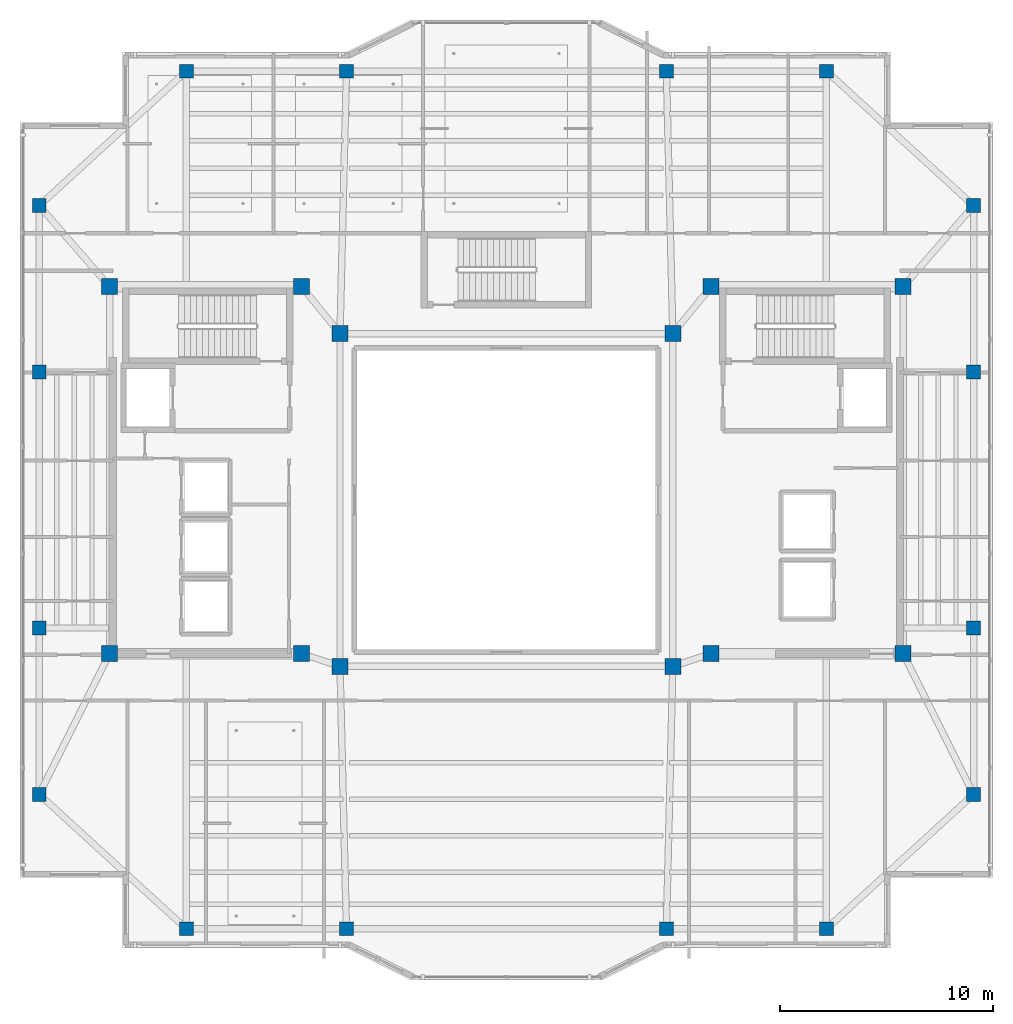
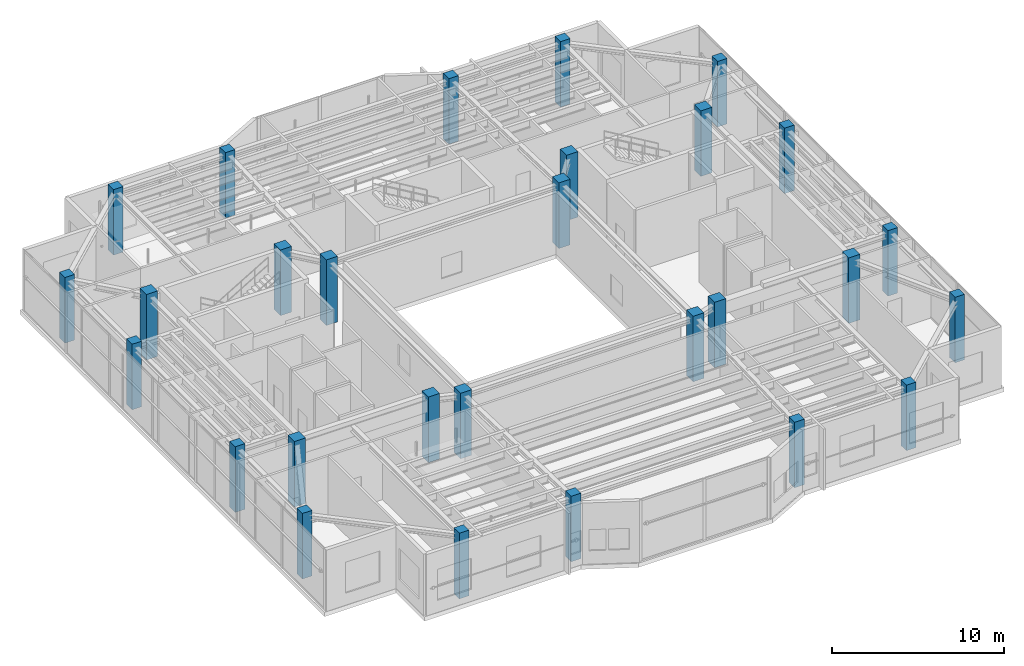
# One storey, part 1 of 25: 28 columns.
"""IFC4 building model written with IfcOpenShell, lengths in metres."""

from ifc_helpers import new_model, si_unit, direction, frame, origin, origin_2d, place, context, subcontext, project, spatial, rectangle, extrude, material, material_profile, profile_set, type_object, element, save


model = new_model("IFC4")

# Units and contexts
model_context = context("Model", 3, precision=1e-05, world=origin(), true_north=direction((0.0, 1.0)))
body_context = subcontext(model_context, "Body", "Model", "MODEL_VIEW")
ifc_project = project(units=[si_unit("LENGTHUNIT", "METRE"), si_unit("AREAUNIT", "SQUARE_METRE"), si_unit("VOLUMEUNIT", "CUBIC_METRE"), si_unit("PLANEANGLEUNIT", "RADIAN"), si_unit("MASSUNIT", "GRAM", prefix="KILO")], contexts=[model_context])

# Site, building, storey
site_placement = place(None, origin())
site = spatial("IfcSite", under=ifc_project, at=site_placement, CompositionType="ELEMENT")
building_placement = place(site_placement, origin())
building = spatial("IfcBuilding", under=site, at=building_placement, Name="Tarnavaz Court Tower", CompositionType="ELEMENT")
storey_placement = place(building_placement, frame((0.0, 0.0, 271.64990234375)))
storey = spatial("IfcBuildingStorey", under=building, at=storey_placement, Name="L74", CompositionType="ELEMENT", Elevation=271.64990234375)

# Columns
ifc_material = material(Name="Concrete C50/60", Category="concrete")
ifc_material_profile_1 = material_profile(ifc_material, rectangle(XDim=0.64990234375, YDim=0.64990234375, at=origin_2d()), Name="RC 650X650")
ifc_profile_set_1 = profile_set([ifc_material_profile_1], Name="Concrete C50/60")
column_type_1 = type_object("IfcColumnType", Name="CL-RC650", PredefinedType="COLUMN", material=ifc_profile_set_1)
for number, where, z_axis, x_axis, name in (
    (1, (-15.0, 20.10009765625, 0.0), (0.0, 0.0, 1.0), (1.0, 0.0, 0.0), "L74 Column PN-1"),
    (2, (-7.5, 20.10009765625, 0.0), (0.0, 0.0, 1.0), (1.0, 0.0, 0.0), "L74 Column PN-2"),
    (3, (7.5, 20.10009765625, 0.0), (0.0, 0.0, 1.0), (1.0, 0.0, 0.0), "L74 Column PN-3"),
    (4, (15.0, 20.10009765625, 0.0), (0.0, 0.0, 1.0), (1.0, 0.0, 0.0), "L74 Column PN-4"),
    (5, (-15.0, -20.10009765625, 0.0), (0.0, 0.0, 1.0), (1.0, 0.0, 0.0), "L74 Column PS-1"),
    (6, (-7.5, -20.10009765625, 0.0), (0.0, 0.0, 1.0), (1.0, 0.0, 0.0), "L74 Column PS-2"),
    (7, (7.5, -20.10009765625, 0.0), (0.0, 0.0, 1.0), (1.0, 0.0, 0.0), "L74 Column PS-3"),
    (8, (15.0, -20.10009765625, 0.0), (0.0, 0.0, 1.0), (1.0, 0.0, 0.0), "L74 Column PS-4"),
    (9, (21.89990234375, -13.800048828125, 0.0), (0.0, 0.0, 1.0), (1.0, 0.0, 0.0), "L74 Column PE-1"),
    (10, (21.89990234375, -6.0, 0.0), (0.0, 0.0, 1.0), (1.0, 0.0, 0.0), "L74 Column PE-2"),
    (11, (21.89990234375, 6.0, 0.0), (0.0, 0.0, 1.0), (1.0, 0.0, 0.0), "L74 Column PE-3"),
    (12, (21.89990234375, 13.800048828125, 0.0), (0.0, 0.0, 1.0), (1.0, 0.0, 0.0), "L74 Column PE-4"),
    (13, (-21.89990234375, -13.800048828125, 0.0), (0.0, 0.0, 1.0), (1.0, 0.0, 0.0), "L74 Column PW-1"),
    (14, (-21.89990234375, -6.0, 0.0), (0.0, 0.0, 1.0), (1.0, 0.0, 0.0), "L74 Column PW-2"),
    (15, (-21.89990234375, 6.0, 0.0), (0.0, 0.0, 1.0), (1.0, 0.0, 0.0), "L74 Column PW-3"),
    (16, (-21.89990234375, 13.800048828125, 0.0), (0.0, 0.0, 1.0), (1.0, 0.0, 0.0), "L74 Column PW-4"),
):
    element("IfcColumn", number, at=place(storey_placement, frame(where, z_axis=z_axis, x_axis=x_axis)), inside=storey, type_object=column_type_1, Name=name, PredefinedType="COLUMN", context=body_context, shape_type="SweptSolid", body=[
        extrude(rectangle(XDim=0.64990234375, YDim=0.64990234375, at=origin_2d()), origin(), (0.0, 0.0, 1.0), 4.650146484375),
    ])
ifc_material_profile_2 = material_profile(ifc_material, rectangle(XDim=0.75, YDim=0.75, at=origin_2d()), Name="RC 750X750")
ifc_profile_set_2 = profile_set([ifc_material_profile_2], Name="Concrete C50/60")
column_type_2 = type_object("IfcColumnType", Name="CL-RC750", PredefinedType="COLUMN", material=ifc_profile_set_2)
for number, where, z_axis, x_axis, name in (
    (17, (-7.800048828125, -7.800048828125, 0.0), (0.0, 0.0, 1.0), (1.0, 0.0, 0.0), "L74 Column IW-SW"),
    (18, (7.800048828125, -7.800048828125, 0.0), (0.0, 0.0, 1.0), (1.0, 0.0, 0.0), "L74 Column IW-SE"),
    (19, (-7.800048828125, 7.800048828125, 0.0), (0.0, 0.0, 1.0), (1.0, 0.0, 0.0), "L74 Column IW-NW"),
    (20, (7.800048828125, 7.800048828125, 0.0), (0.0, 0.0, 1.0), (1.0, 0.0, 0.0), "L74 Column IW-NE"),
    (21, (-9.60009765625, -7.199951171875, 0.0), (0.0, 0.0, 1.0), (1.0, 0.0, 0.0), "L74 Column CW-SI"),
    (22, (-9.60009765625, 10.0, 0.0), (0.0, 0.0, 1.0), (1.0, 0.0, 0.0), "L74 Column CW-NI"),
    (23, (9.60009765625, -7.199951171875, 0.0), (0.0, 0.0, 1.0), (1.0, 0.0, 0.0), "L74 Column CE-SI"),
    (24, (9.60009765625, 10.0, 0.0), (0.0, 0.0, 1.0), (1.0, 0.0, 0.0), "L74 Column CE-NI"),
    (25, (-18.60009765625, -7.199951171875, 0.0), (0.0, 0.0, 1.0), (1.0, 0.0, 0.0), "L74 Column CW-SO"),
    (26, (-18.60009765625, 10.0, 0.0), (0.0, 0.0, 1.0), (1.0, 0.0, 0.0), "L74 Column CW-NO"),
    (27, (18.60009765625, -7.199951171875, 0.0), (0.0, 0.0, 1.0), (1.0, 0.0, 0.0), "L74 Column CE-SO"),
    (28, (18.60009765625, 10.0, 0.0), (0.0, 0.0, 1.0), (1.0, 0.0, 0.0), "L74 Column CE-NO"),
):
    element("IfcColumn", number, at=place(storey_placement, frame(where, z_axis=z_axis, x_axis=x_axis)), inside=storey, type_object=column_type_2, Name=name, PredefinedType="COLUMN", context=body_context, shape_type="SweptSolid", body=[
        extrude(rectangle(XDim=0.75, YDim=0.75, at=origin_2d()), origin(), (0.0, 0.0, 1.0), 4.650146484375),
    ])

save(model, "model.ifc")
